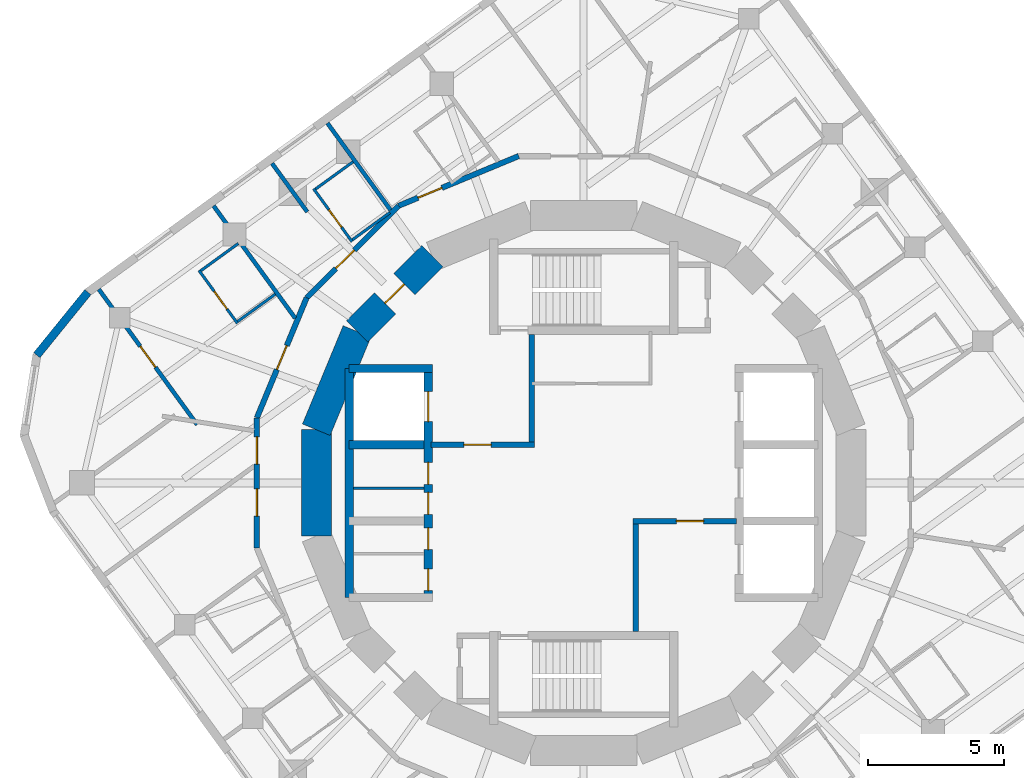
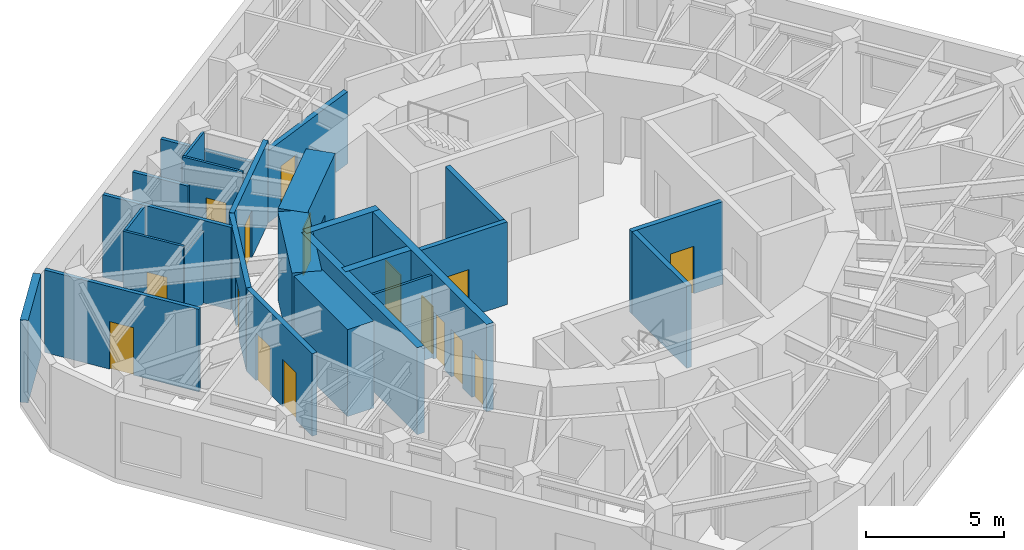
# One storey, part 5 of 9: 27 walls, 16 doors, 16 openings.
"""IFC4 building model written with IfcOpenShell, lengths in metres."""

from ifc_helpers import new_model, si_unit, direction, frame, frame_2d, origin, place, context, subcontext, project, spatial, rectangle, extrude, material, layer, layer_set, type_object, element, fill, save


model = new_model("IFC4")

# Units and contexts
model_context = context("Model", 3, precision=1e-05, world=origin(), true_north=direction((0.0, 1.0)))
body_context = subcontext(model_context, "Body", "Model", "MODEL_VIEW")
ifc_project = project(units=[si_unit("LENGTHUNIT", "METRE"), si_unit("AREAUNIT", "SQUARE_METRE"), si_unit("VOLUMEUNIT", "CUBIC_METRE"), si_unit("PLANEANGLEUNIT", "RADIAN"), si_unit("MASSUNIT", "GRAM", prefix="KILO")], contexts=[model_context])

# Site, building, storey
site_placement = place(None, origin())
site = spatial("IfcSite", under=ifc_project, at=site_placement, CompositionType="ELEMENT")
building_placement = place(site_placement, origin())
building = spatial("IfcBuilding", under=site, at=building_placement, Name="Nakasero Lantern House", CompositionType="ELEMENT")
storey_placement = place(building_placement, frame((0.0, 0.0, 279.14990234375)))
storey = spatial("IfcBuildingStorey", under=building, at=storey_placement, Name="L68", CompositionType="ELEMENT", Elevation=279.14990234375)

# Wall, openings, doors
ifc_material_1 = material(Name="Concrete C50/60", Category="concrete")
ifc_layer_1 = layer(ifc_material_1, 0.300048828125)
ifc_layer_set_1 = layer_set([ifc_layer_1], Name="Core inner wall 300")
wall_type_1 = type_object("IfcWallType", Name="Core inner wall 300", PredefinedType="SHEAR", material=ifc_layer_set_1)
wall_1_placement = place(storey_placement, frame((-5.699951171875, -4.199951171875, 0.0), z_axis=(0.0, 0.0, 1.0), x_axis=(0.0, 1.0, 0.0)))
wall_1 = element("IfcWall", 1, at=wall_1_placement, inside=storey, type_object=wall_type_1, Name="Core inner wall L68 LW", PredefinedType="SHEAR", context=body_context, shape_type="SweptSolid", body=[
    extrude(rectangle(XDim=8.39990234375, YDim=0.300048828125, at=frame_2d((4.199951171875, 0.0))), origin(), (0.0, 0.0, 1.0), 3.85009765625),
])
opening_1_placement = place(wall_1_placement, frame((0.25, 0.0, 0.0)))
opening_1 = element("IfcOpeningElement", 2, at=opening_1_placement, cuts=wall_1, Name="Opening D19", PredefinedType="OPENING", context=body_context, shape_type="SweptSolid", body=[
    extrude(rectangle(XDim=0.800048828125, YDim=2.10009765625, at=frame_2d((0.39990234375, 1.050048828125))), frame((0.0, 0.169921875, 0.0), z_axis=(0.0, -1.0, 0.0), x_axis=(1.0, 0.0, 0.0)), (0.0, 0.0, 1.0), 0.340087890625),
])
opening_2_placement = place(wall_1_placement, frame((1.75, 0.0, 0.0)))
opening_2 = element("IfcOpeningElement", 3, at=opening_2_placement, cuts=wall_1, Name="Opening D15", PredefinedType="OPENING", context=body_context, shape_type="SweptSolid", body=[
    extrude(rectangle(XDim=0.800048828125, YDim=2.10009765625, at=frame_2d((0.39990234375, 1.050048828125))), frame((0.0, 0.169921875, 0.0), z_axis=(0.0, -1.0, 0.0), x_axis=(1.0, 0.0, 0.0)), (0.0, 0.0, 1.0), 0.340087890625),
])
opening_3_placement = place(wall_1_placement, frame((3.050048828125, 0.0, 0.0)))
opening_3 = element("IfcOpeningElement", 4, at=opening_3_placement, cuts=wall_1, Name="Opening D15", PredefinedType="OPENING", context=body_context, shape_type="SweptSolid", body=[
    extrude(rectangle(XDim=0.800048828125, YDim=2.10009765625, at=frame_2d((0.39990234375, 1.050048828125))), frame((0.0, 0.169921875, 0.0), z_axis=(0.0, -1.0, 0.0), x_axis=(1.0, 0.0, 0.0)), (0.0, 0.0, 1.0), 0.340087890625),
])
opening_4_placement = place(wall_1_placement, frame((4.14990234375, 0.0, 0.0)))
opening_4 = element("IfcOpeningElement", 5, at=opening_4_placement, cuts=wall_1, Name="Opening D15", PredefinedType="OPENING", context=body_context, shape_type="SweptSolid", body=[
    extrude(rectangle(XDim=0.800048828125, YDim=2.10009765625, at=frame_2d((0.39990234375, 1.050048828125))), frame((0.0, 0.169921875, 0.0), z_axis=(0.0, -1.0, 0.0), x_axis=(1.0, 0.0, 0.0)), (0.0, 0.0, 1.0), 0.340087890625),
])
opening_5_placement = place(wall_1_placement, frame((6.449951171875, 0.0, 0.0)))
opening_5 = element("IfcOpeningElement", 6, at=opening_5_placement, cuts=wall_1, Name="Opening LD", PredefinedType="OPENING", context=body_context, shape_type="SweptSolid", body=[
    extrude(rectangle(XDim=1.10009765625, YDim=2.10009765625, at=frame_2d((0.550048828125, 1.050048828125))), frame((0.0, 0.169921875, 0.0), z_axis=(0.0, -1.0, 0.0), x_axis=(1.0, 0.0, 0.0)), (0.0, 0.0, 1.0), 0.340087890625),
])
ifc_material_2 = material(Name="Timber C24", Category="wood")
door_type_1 = type_object("IfcDoorType", Name="Cleaner's store door FD30S 800", OperationType="SINGLE_SWING_LEFT", PredefinedType="DOOR", material=ifc_material_2)
door_1_placement = place(opening_2_placement, origin())
door_1 = element("IfcDoor", 7, at=door_1_placement, inside=storey, type_object=door_type_1, Name="Door L68 D-SH-LW1b", OperationType="SINGLE_SWING_LEFT", OverallHeight=2.10009765625, OverallWidth=0.800048828125, PredefinedType="DOOR", context=body_context, shape_type="SweptSolid", body=[
    extrude(rectangle(XDim=0.800048828125, YDim=2.10009765625, at=frame_2d((0.39990234375, 1.050048828125))), frame((0.0, 0.02490234375, 0.0), z_axis=(0.0, -1.0, 0.0), x_axis=(1.0, 0.0, 0.0)), (0.0, 0.0, 1.0), 0.050048828125),
])
fill(opening_2, door_1)
door_2_placement = place(opening_3_placement, origin())
door_2 = element("IfcDoor", 8, at=door_2_placement, inside=storey, type_object=door_type_1, Name="Door L68 D-SH-LW2a", OperationType="SINGLE_SWING_LEFT", OverallHeight=2.10009765625, OverallWidth=0.800048828125, PredefinedType="DOOR", context=body_context, shape_type="SweptSolid", body=[
    extrude(rectangle(XDim=0.800048828125, YDim=2.10009765625, at=frame_2d((0.39990234375, 1.050048828125))), frame((0.0, 0.02490234375, 0.0), z_axis=(0.0, -1.0, 0.0), x_axis=(1.0, 0.0, 0.0)), (0.0, 0.0, 1.0), 0.050048828125),
])
fill(opening_3, door_2)
door_3_placement = place(opening_4_placement, origin())
door_3 = element("IfcDoor", 9, at=door_3_placement, inside=storey, type_object=door_type_1, Name="Door L68 D-SH-LW2b", OperationType="SINGLE_SWING_RIGHT", OverallHeight=2.10009765625, OverallWidth=0.800048828125, PredefinedType="DOOR", context=body_context, shape_type="SweptSolid", body=[
    extrude(rectangle(XDim=0.800048828125, YDim=2.10009765625, at=frame_2d((0.39990234375, 1.050048828125))), frame((0.0, 0.02490234375, 0.0), z_axis=(0.0, -1.0, 0.0), x_axis=(1.0, 0.0, 0.0)), (0.0, 0.0, 1.0), 0.050048828125),
])
fill(opening_4, door_3)
ifc_material_3 = material(Name="Steel S355", Category="steel")
door_type_2 = type_object("IfcDoorType", Name="Lift landing door E120 1100", OperationType="SLIDING_TO_LEFT", PredefinedType="DOOR", material=ifc_material_3)
door_4_placement = place(opening_5_placement, origin())
door_4 = element("IfcDoor", 10, at=door_4_placement, inside=storey, type_object=door_type_2, Name="Lift landing door LW3", OperationType="SLIDING_TO_LEFT", OverallHeight=2.10009765625, OverallWidth=1.10009765625, PredefinedType="DOOR", context=body_context, shape_type="SweptSolid", body=[
    extrude(rectangle(XDim=1.10009765625, YDim=2.10009765625, at=frame_2d((0.550048828125, 1.050048828125))), frame((0.0, 0.02490234375, 0.0), z_axis=(0.0, -1.0, 0.0), x_axis=(1.0, 0.0, 0.0)), (0.0, 0.0, 1.0), 0.050048828125),
])
fill(opening_5, door_4)
ifc_material_4 = material(Name="Steel S355", Category="steel")
door_type_3 = type_object("IfcDoorType", Name="Plant room door FD60 800", OperationType="SINGLE_SWING_LEFT", PredefinedType="DOOR", material=ifc_material_4)
door_5_placement = place(opening_1_placement, origin())
door_5 = element("IfcDoor", 11, at=door_5_placement, inside=storey, type_object=door_type_3, Name="Door L68 D-SH-LW1a", OperationType="SINGLE_SWING_LEFT", OverallHeight=2.10009765625, OverallWidth=0.800048828125, PredefinedType="DOOR", context=body_context, shape_type="SweptSolid", body=[
    extrude(rectangle(XDim=0.800048828125, YDim=2.10009765625, at=frame_2d((0.39990234375, 1.050048828125))), frame((0.0, 0.02490234375, 0.0), z_axis=(0.0, -1.0, 0.0), x_axis=(1.0, 0.0, 0.0)), (0.0, 0.0, 1.0), 0.050048828125),
])
fill(opening_1, door_5)

# Walls
wall_2_placement = place(storey_placement, frame((-8.60009765625, 4.199951171875, 0.0), z_axis=(0.0, 0.0, 1.0), x_axis=(1.0, 0.0, 0.0)))
element("IfcWall", 12, at=wall_2_placement, inside=storey, type_object=wall_type_1, Name="Core inner wall L68 LWN", PredefinedType="SHEAR", context=body_context, shape_type="SweptSolid", body=[
    extrude(rectangle(XDim=3.050048828125, YDim=0.300048828125, at=frame_2d((1.52490234375, 0.0))), origin(), (0.0, 0.0, 1.0), 3.85009765625),
])
wall_3_placement = place(storey_placement, frame((-8.60009765625, -4.199951171875, 0.0), z_axis=(0.0, 0.0, 1.0), x_axis=(0.0, 1.0, 0.0)))
element("IfcWall", 13, at=wall_3_placement, inside=storey, type_object=wall_type_1, Name="Core inner wall L68 LWB", PredefinedType="SHEAR", context=body_context, shape_type="SweptSolid", body=[
    extrude(rectangle(XDim=8.39990234375, YDim=0.300048828125, at=frame_2d((4.199951171875, 0.0))), origin(), (0.0, 0.0, 1.0), 3.85009765625),
])
wall_4_placement = place(storey_placement, frame((-8.60009765625, 1.39990234375, 0.0), z_axis=(0.0, 0.0, 1.0), x_axis=(1.0, 0.0, 0.0)))
element("IfcWall", 14, at=wall_4_placement, inside=storey, type_object=wall_type_1, Name="Core inner wall L68 LW2", PredefinedType="SHEAR", context=body_context, shape_type="SweptSolid", body=[
    extrude(rectangle(XDim=2.75, YDim=0.300048828125, at=frame_2d((1.375, 0.0))), origin(), (0.0, 0.0, 1.0), 3.85009765625),
])
ifc_material_5 = material(Name="Blockwork", Category="masonry")
ifc_layer_2 = layer(ifc_material_5, 0.10009765625)
ifc_layer_set_2 = layer_set([ifc_layer_2], Name="Core room wall 100")
wall_type_2 = type_object("IfcWallType", Name="Core room wall 100", PredefinedType="PARTITIONING", material=ifc_layer_set_2)
wall_5_placement = place(storey_placement, frame((-8.449951171875, -0.199951171875, 0.0), z_axis=(0.0, 0.0, 1.0), x_axis=(1.0, 0.0, 0.0)))
element("IfcWall", 15, at=wall_5_placement, inside=storey, type_object=wall_type_2, Name="Core room wall L68 CR-SH-LW2b", PredefinedType="PARTITIONING", context=body_context, shape_type="SweptSolid", body=[
    extrude(rectangle(XDim=2.599853515625, YDim=0.10009765625, at=frame_2d((1.2998046875, 0.0))), origin(), (0.0, 0.0, 1.0), 3.650146484375),
])

# Wall, opening, door
ifc_material_6 = material(Name="Concrete C50/60", Category="concrete")
ifc_layer_3 = layer(ifc_material_6, 1.10009765625)
ifc_layer_set_3 = layer_set([ifc_layer_3], Name="Core wall 1100")
wall_type_3 = type_object("IfcWallType", Name="Core wall 1100", PredefinedType="SHEAR", material=ifc_layer_set_3)
wall_6_placement = place(storey_placement, frame((-5.5556640625, 8.314697265625, 0.0), z_axis=(0.0, 0.0, 1.0), x_axis=(-0.707106781187, -0.707106781187, 0.0)))
wall_6 = element("IfcWall", 16, at=wall_6_placement, inside=storey, type_object=wall_type_3, Name="Core wall L68 facet 6", PredefinedType="SHEAR", context=body_context, shape_type="SweptSolid", body=[
    extrude(rectangle(XDim=3.90185546875, YDim=1.10009765625, at=frame_2d((1.950927734375, 0.0))), origin(), (0.0, 0.0, 1.0), 3.85009765625),
])
opening_6_placement = place(wall_6_placement, frame((1.450927734375, 0.0, 0.0)))
opening_6 = element("IfcOpeningElement", 17, at=opening_6_placement, cuts=wall_6, Name="Opening D05", PredefinedType="OPENING", context=body_context, shape_type="SweptSolid", body=[
    extrude(rectangle(XDim=1.0, YDim=2.10009765625, at=frame_2d((0.5, 1.050048828125))), frame((0.0, 0.570068359375, 0.0), z_axis=(0.0, -1.0, 0.0), x_axis=(1.0, 0.0, 0.0)), (0.0, 0.0, 1.0), 1.14013671875),
])
ifc_material_7 = material(Name="Timber C24", Category="wood")
door_type_4 = type_object("IfcDoorType", Name="Core door FD60S 1000", OperationType="SINGLE_SWING_LEFT", PredefinedType="DOOR", material=ifc_material_7)
door_6_placement = place(opening_6_placement, origin())
door_6 = element("IfcDoor", 18, at=door_6_placement, inside=storey, type_object=door_type_4, Name="Door L68 D-CORE06", OperationType="SINGLE_SWING_LEFT", OverallHeight=2.10009765625, OverallWidth=1.0, PredefinedType="DOOR", context=body_context, shape_type="SweptSolid", body=[
    extrude(rectangle(XDim=1.0, YDim=2.10009765625, at=frame_2d((0.5, 1.050048828125))), frame((0.0, 0.02490234375, 0.0), z_axis=(0.0, -1.0, 0.0), x_axis=(1.0, 0.0, 0.0)), (0.0, 0.0, 1.0), 0.050048828125),
])
fill(opening_6, door_6)

# Walls
for number, where, z_axis, x_axis, name in (
    (19, (-8.314697265625, 5.5556640625, 0.0), (0.0, 0.0, 1.0), (-0.382690736062, -0.923876507187, 0.0), "Core wall L68 facet 7"),
    (20, (-9.807861328125, 1.950927734375, 0.0), (0.0, 0.0, 1.0), (0.0, -1.0, 0.0), "Core wall L68 facet 8"),
):
    element("IfcWall", number, at=place(storey_placement, frame(where, z_axis=z_axis, x_axis=x_axis)), inside=storey, type_object=wall_type_3, Name=name, PredefinedType="SHEAR", context=body_context, shape_type="SweptSolid", body=[
        extrude(rectangle(XDim=3.90185546875, YDim=1.10009765625, at=frame_2d((1.950927734375, 0.0))), origin(), (0.0, 0.0, 1.0), 3.85009765625),
    ])

# Wall, openings, doors
ifc_material_8 = material(Name="Blockwork", Category="masonry")
ifc_layer_4 = layer(ifc_material_8, 0.199951171875)
ifc_layer_set_4 = layer_set([ifc_layer_4], Name="Corridor wall 200")
wall_type_4 = type_object("IfcWallType", Name="Corridor wall 200", PredefinedType="PARTITIONING", material=ifc_layer_set_4)
wall_7_placement = place(storey_placement, frame((-11.98779296875, -2.384521484375, 0.0), z_axis=(0.0, 0.0, 1.0), x_axis=(0.0, 1.0, 0.0)))
wall_7 = element("IfcWall", 21, at=wall_7_placement, inside=storey, type_object=wall_type_4, Name="Corridor wall L68 RC08a", PredefinedType="PARTITIONING", context=body_context, shape_type="SweptSolid", body=[
    extrude(rectangle(XDim=4.76904296875, YDim=0.199951171875, at=frame_2d((2.384521484375, 0.0))), origin(), (0.0, 0.0, 1.0), 3.650146484375),
])
opening_7_placement = place(wall_7_placement, frame((3.070068359375, 0.0, 0.0)))
opening_7 = element("IfcOpeningElement", 22, at=opening_7_placement, cuts=wall_7, Name="Opening D03", PredefinedType="OPENING", context=body_context, shape_type="SweptSolid", body=[
    extrude(rectangle(XDim=1.0, YDim=2.10009765625, at=frame_2d((0.5, 1.050048828125))), frame((0.0, 0.119873046875, 0.0), z_axis=(0.0, -1.0, 0.0), x_axis=(1.0, 0.0, 0.0)), (0.0, 0.0, 1.0), 0.239990234375),
])
opening_8_placement = place(wall_7_placement, frame((1.169921875, 0.0, 0.0)))
opening_8 = element("IfcOpeningElement", 23, at=opening_8_placement, cuts=wall_7, Name="Opening D03", PredefinedType="OPENING", context=body_context, shape_type="SweptSolid", body=[
    extrude(rectangle(XDim=1.0, YDim=2.10009765625, at=frame_2d((0.5, 1.050048828125))), frame((0.0, 0.119873046875, 0.0), z_axis=(0.0, -1.0, 0.0), x_axis=(1.0, 0.0, 0.0)), (0.0, 0.0, 1.0), 0.239990234375),
])
ifc_material_9 = material(Name="Timber C24", Category="wood")
door_type_5 = type_object("IfcDoorType", Name="Lounge door FD30S 1000", OperationType="SINGLE_SWING_LEFT", PredefinedType="DOOR", material=ifc_material_9)
door_7_placement = place(opening_7_placement, origin())
door_7 = element("IfcDoor", 24, at=door_7_placement, inside=storey, type_object=door_type_5, Name="Door L68 DK2", OperationType="SINGLE_SWING_RIGHT", OverallHeight=2.10009765625, OverallWidth=1.0, PredefinedType="DOOR", context=body_context, shape_type="SweptSolid", body=[
    extrude(rectangle(XDim=1.0, YDim=2.10009765625, at=frame_2d((0.5, 1.050048828125))), frame((0.0, 0.02490234375, 0.0), z_axis=(0.0, -1.0, 0.0), x_axis=(1.0, 0.0, 0.0)), (0.0, 0.0, 1.0), 0.050048828125),
])
fill(opening_7, door_7)
door_8_placement = place(opening_8_placement, origin())
door_8 = element("IfcDoor", 25, at=door_8_placement, inside=storey, type_object=door_type_5, Name="Door L68 DK2-1", OperationType="SINGLE_SWING_LEFT", OverallHeight=2.10009765625, OverallWidth=1.0, PredefinedType="DOOR", context=body_context, shape_type="SweptSolid", body=[
    extrude(rectangle(XDim=1.0, YDim=2.10009765625, at=frame_2d((0.5, 1.050048828125))), frame((0.0, 0.02490234375, 0.0), z_axis=(0.0, -1.0, 0.0), x_axis=(1.0, 0.0, 0.0)), (0.0, 0.0, 1.0), 0.050048828125),
])
fill(opening_8, door_8)

# Wall, opening, door
wall_8_placement = place(storey_placement, frame((-11.98779296875, 2.384521484375, 0.0), z_axis=(0.0, 0.0, 1.0), x_axis=(0.382669792111, 0.923885182372, 0.0)))
wall_8 = element("IfcWall", 26, at=wall_8_placement, inside=storey, type_object=wall_type_4, Name="Corridor wall L68 RC09a", PredefinedType="PARTITIONING", context=body_context, shape_type="SweptSolid", body=[
    extrude(rectangle(XDim=4.76904296875, YDim=0.199951171875, at=frame_2d((2.384521484375, 0.0))), origin(), (0.0, 0.0, 1.0), 3.650146484375),
])
opening_9_placement = place(wall_8_placement, frame((1.919921875, 0.0, 0.0)))
opening_9 = element("IfcOpeningElement", 27, at=opening_9_placement, cuts=wall_8, Name="Opening D01", PredefinedType="OPENING", context=body_context, shape_type="SweptSolid", body=[
    extrude(rectangle(XDim=0.949951171875, YDim=2.10009765625, at=frame_2d((0.47509765625, 1.050048828125))), frame((0.0, 0.119873046875, 0.0), z_axis=(0.0, -1.0, 0.0), x_axis=(1.0, 0.0, 0.0)), (0.0, 0.0, 1.0), 0.239990234375),
])
ifc_material_10 = material(Name="Timber C24", Category="wood")
door_type_6 = type_object("IfcDoorType", Name="Bedroom door FD30S 950", OperationType="SINGLE_SWING_LEFT", PredefinedType="DOOR", material=ifc_material_10)
door_9_placement = place(opening_9_placement, origin())
door_9 = element("IfcDoor", 28, at=door_9_placement, inside=storey, type_object=door_type_6, Name="Door L68 D1-06", OperationType="SINGLE_SWING_RIGHT", OverallHeight=2.10009765625, OverallWidth=0.949951171875, PredefinedType="DOOR", context=body_context, shape_type="SweptSolid", body=[
    extrude(rectangle(XDim=0.949951171875, YDim=2.10009765625, at=frame_2d((0.47509765625, 1.050048828125))), frame((0.0, 0.02490234375, 0.0), z_axis=(0.0, -1.0, 0.0), x_axis=(1.0, 0.0, 0.0)), (0.0, 0.0, 1.0), 0.050048828125),
])
fill(opening_9, door_9)

wall_9_placement = place(storey_placement, frame((-10.162841796875, 6.79052734375, 0.0), z_axis=(0.0, 0.0, 1.0), x_axis=(0.707106781187, 0.707106781187, 0.0)))
wall_9 = element("IfcWall", 29, at=wall_9_placement, inside=storey, type_object=wall_type_4, Name="Corridor wall L68 RC10a", PredefinedType="PARTITIONING", context=body_context, shape_type="SweptSolid", body=[
    extrude(rectangle(XDim=4.769287109375, YDim=0.199951171875, at=frame_2d((2.384765625, 0.0))), origin(), (0.0, 0.0, 1.0), 3.650146484375),
])
opening_10_placement = place(wall_9_placement, frame((1.52001953125, 0.0, 0.0)))
opening_10 = element("IfcOpeningElement", 30, at=opening_10_placement, cuts=wall_9, Name="Opening D01", PredefinedType="OPENING", context=body_context, shape_type="SweptSolid", body=[
    extrude(rectangle(XDim=0.949951171875, YDim=2.10009765625, at=frame_2d((0.47509765625, 1.050048828125))), frame((0.0, 0.119873046875, 0.0), z_axis=(0.0, -1.0, 0.0), x_axis=(1.0, 0.0, 0.0)), (0.0, 0.0, 1.0), 0.239990234375),
])
door_10_placement = place(opening_10_placement, origin())
door_10 = element("IfcDoor", 31, at=door_10_placement, inside=storey, type_object=door_type_6, Name="Door L68 D1-04", OperationType="SINGLE_SWING_LEFT", OverallHeight=2.10009765625, OverallWidth=0.949951171875, PredefinedType="DOOR", context=body_context, shape_type="SweptSolid", body=[
    extrude(rectangle(XDim=0.949951171875, YDim=2.10009765625, at=frame_2d((0.47509765625, 1.050048828125))), frame((0.0, 0.02490234375, 0.0), z_axis=(0.0, -1.0, 0.0), x_axis=(1.0, 0.0, 0.0)), (0.0, 0.0, 1.0), 0.050048828125),
])
fill(opening_10, door_10)

wall_10_placement = place(storey_placement, frame((-6.79052734375, 10.162841796875, 0.0), z_axis=(0.0, 0.0, 1.0), x_axis=(0.923885182372, 0.382669792111, 0.0)))
wall_10 = element("IfcWall", 32, at=wall_10_placement, inside=storey, type_object=wall_type_4, Name="Corridor wall L68 RC11a", PredefinedType="PARTITIONING", context=body_context, shape_type="SweptSolid", body=[
    extrude(rectangle(XDim=4.76904296875, YDim=0.199951171875, at=frame_2d((2.384521484375, 0.0))), origin(), (0.0, 0.0, 1.0), 3.190185546875),
])
opening_11_placement = place(wall_10_placement, frame((0.77001953125, 0.0, 0.0)))
opening_11 = element("IfcOpeningElement", 33, at=opening_11_placement, cuts=wall_10, Name="Opening D01", PredefinedType="OPENING", context=body_context, shape_type="SweptSolid", body=[
    extrude(rectangle(XDim=0.949951171875, YDim=2.10009765625, at=frame_2d((0.47509765625, 1.050048828125))), frame((0.0, 0.119873046875, 0.0), z_axis=(0.0, -1.0, 0.0), x_axis=(1.0, 0.0, 0.0)), (0.0, 0.0, 1.0), 0.239990234375),
])
door_11_placement = place(opening_11_placement, origin())
door_11 = element("IfcDoor", 34, at=door_11_placement, inside=storey, type_object=door_type_6, Name="Door L68 D1-03", OperationType="SINGLE_SWING_LEFT", OverallHeight=2.10009765625, OverallWidth=0.949951171875, PredefinedType="DOOR", context=body_context, shape_type="SweptSolid", body=[
    extrude(rectangle(XDim=0.949951171875, YDim=2.10009765625, at=frame_2d((0.47509765625, 1.050048828125))), frame((0.0, 0.02490234375, 0.0), z_axis=(0.0, -1.0, 0.0), x_axis=(1.0, 0.0, 0.0)), (0.0, 0.0, 1.0), 0.050048828125),
])
fill(opening_11, door_11)

ifc_material_11 = material(Name="Blockwork", Category="masonry")
ifc_layer_5 = layer(ifc_material_11, 0.10009765625)
ifc_layer_set_5 = layer_set([ifc_layer_5], Name="En-suite wall 100")
wall_type_5 = type_object("IfcWallType", Name="En-suite wall 100", PredefinedType="PARTITIONING", material=ifc_layer_set_5)
wall_11_placement = place(storey_placement, frame((-8.495849609375, 8.846435546875, 0.0), z_axis=(0.0, 0.0, 1.0), x_axis=(-0.587772420479, 0.809026317077, 0.0)))
wall_11 = element("IfcWall", 35, at=wall_11_placement, inside=storey, type_object=wall_type_5, Name="En-suite wall L68 ES1-04", PredefinedType="PARTITIONING", context=body_context, shape_type="SweptSolid", body=[
    extrude(rectangle(XDim=2.39990234375, YDim=0.10009765625, at=frame_2d((1.199951171875, 0.0))), origin(), (0.0, 0.0, 1.0), 3.650146484375),
])
opening_12_placement = place(wall_11_placement, frame((0.64990234375, 0.0, 0.0)))
opening_12 = element("IfcOpeningElement", 36, at=opening_12_placement, cuts=wall_11, Name="Opening D02", PredefinedType="OPENING", context=body_context, shape_type="SweptSolid", body=[
    extrude(rectangle(XDim=0.800048828125, YDim=2.10009765625, at=frame_2d((0.39990234375, 1.050048828125))), frame((0.0, 0.070068359375, 0.0), z_axis=(0.0, -1.0, 0.0), x_axis=(1.0, 0.0, 0.0)), (0.0, 0.0, 1.0), 0.14013671875),
])
ifc_material_12 = material(Name="Timber C24", Category="wood")
door_type_7 = type_object("IfcDoorType", Name="En-suite door 800", OperationType="SINGLE_SWING_RIGHT", PredefinedType="DOOR", material=ifc_material_12)
door_12_placement = place(opening_12_placement, origin())
door_12 = element("IfcDoor", 37, at=door_12_placement, inside=storey, type_object=door_type_7, Name="Door L68 DE1-04", OperationType="SINGLE_SWING_LEFT", OverallHeight=2.10009765625, OverallWidth=0.800048828125, PredefinedType="DOOR", context=body_context, shape_type="SweptSolid", body=[
    extrude(rectangle(XDim=0.800048828125, YDim=2.10009765625, at=frame_2d((0.39990234375, 1.050048828125))), frame((0.0, 0.02490234375, 0.0), z_axis=(0.0, -1.0, 0.0), x_axis=(1.0, 0.0, 0.0)), (0.0, 0.0, 1.0), 0.050048828125),
])
fill(opening_12, door_12)

# Walls
wall_12_placement = place(storey_placement, frame((-8.461181640625, 11.7763671875, 0.0), z_axis=(0.0, 0.0, 1.0), x_axis=(-0.809040252033, -0.58775323954, 0.0)))
element("IfcWall", 38, at=wall_12_placement, inside=storey, type_object=wall_type_5, Name="En-suite wall L68 EE1-04", PredefinedType="PARTITIONING", context=body_context, shape_type="SweptSolid", body=[
    extrude(rectangle(XDim=1.7001953125, YDim=0.10009765625, at=frame_2d((0.85009765625, 0.0))), origin(), (0.0, 0.0, 1.0), 3.650146484375),
])
wall_13_placement = place(storey_placement, frame((-7.109375, 9.91552734375, 0.0), z_axis=(0.0, 0.0, 1.0), x_axis=(-0.808990636343, -0.587821529301, 0.0)))
element("IfcWall", 39, at=wall_13_placement, inside=storey, type_object=wall_type_5, Name="En-suite wall L68 EI1-04", PredefinedType="PARTITIONING", context=body_context, shape_type="SweptSolid", body=[
    extrude(rectangle(XDim=1.699951171875, YDim=0.10009765625, at=frame_2d((0.85009765625, 0.0))), origin(), (0.0, 0.0, 1.0), 3.190185546875),
])

# Wall, opening, door
wall_14_placement = place(storey_placement, frame((-12.7001953125, 5.852783203125, 0.0), z_axis=(0.0, 0.0, 1.0), x_axis=(-0.587772420479, 0.809026317077, 0.0)))
wall_14 = element("IfcWall", 40, at=wall_14_placement, inside=storey, type_object=wall_type_5, Name="En-suite wall L68 ES1-06", PredefinedType="PARTITIONING", context=body_context, shape_type="SweptSolid", body=[
    extrude(rectangle(XDim=2.39990234375, YDim=0.10009765625, at=frame_2d((1.199951171875, 0.0))), origin(), (0.0, 0.0, 1.0), 3.650146484375),
])
opening_13_placement = place(wall_14_placement, frame((0.64990234375, 0.0, 0.0)))
opening_13 = element("IfcOpeningElement", 41, at=opening_13_placement, cuts=wall_14, Name="Opening D02", PredefinedType="OPENING", context=body_context, shape_type="SweptSolid", body=[
    extrude(rectangle(XDim=0.800048828125, YDim=2.10009765625, at=frame_2d((0.39990234375, 1.050048828125))), frame((0.0, 0.070068359375, 0.0), z_axis=(0.0, -1.0, 0.0), x_axis=(1.0, 0.0, 0.0)), (0.0, 0.0, 1.0), 0.14013671875),
])
door_13_placement = place(opening_13_placement, origin())
door_13 = element("IfcDoor", 42, at=door_13_placement, inside=storey, type_object=door_type_7, Name="Door L68 DE1-06", OperationType="SINGLE_SWING_LEFT", OverallHeight=2.10009765625, OverallWidth=0.800048828125, PredefinedType="DOOR", context=body_context, shape_type="SweptSolid", body=[
    extrude(rectangle(XDim=0.800048828125, YDim=2.10009765625, at=frame_2d((0.39990234375, 1.050048828125))), frame((0.0, 0.02490234375, 0.0), z_axis=(0.0, -1.0, 0.0), x_axis=(1.0, 0.0, 0.0)), (0.0, 0.0, 1.0), 0.050048828125),
])
fill(opening_13, door_13)

# Walls
wall_15_placement = place(storey_placement, frame((-12.665771484375, 8.78271484375, 0.0), z_axis=(0.0, 0.0, 1.0), x_axis=(-0.808990636343, -0.587821529301, 0.0)))
element("IfcWall", 43, at=wall_15_placement, inside=storey, type_object=wall_type_5, Name="En-suite wall L68 EE1-06", PredefinedType="PARTITIONING", context=body_context, shape_type="SweptSolid", body=[
    extrude(rectangle(XDim=1.699951171875, YDim=0.10009765625, at=frame_2d((0.85009765625, 0.0))), origin(), (0.0, 0.0, 1.0), 3.650146484375),
])
wall_16_placement = place(storey_placement, frame((-11.313720703125, 6.921875, 0.0), z_axis=(0.0, 0.0, 1.0), x_axis=(-0.809040252033, -0.58775323954, 0.0)))
element("IfcWall", 44, at=wall_16_placement, inside=storey, type_object=wall_type_5, Name="En-suite wall L68 EI1-06", PredefinedType="PARTITIONING", context=body_context, shape_type="SweptSolid", body=[
    extrude(rectangle(XDim=1.7001953125, YDim=0.10009765625, at=frame_2d((0.85009765625, 0.0))), origin(), (0.0, 0.0, 1.0), 3.190185546875),
])
ifc_material_13 = material(Name="Aluminium rainscreen on blockwork", Category="masonry")
ifc_layer_6 = layer(ifc_material_13, 0.300048828125)
ifc_layer_set_6 = layer_set([ifc_layer_6], Name="Facade wall 300")
wall_type_6 = type_object("IfcWallType", Name="Facade wall 300", PredefinedType="SOLIDWALL", material=ifc_layer_set_6)
wall_17_placement = place(storey_placement, frame((-18.185791015625, 6.996826171875, 0.0), z_axis=(0.0, 0.0, 1.0), x_axis=(-0.629375183362, -0.777101588319, 0.0)))
element("IfcWall", 45, at=wall_17_placement, inside=storey, type_object=wall_type_6, Name="Facade wall L68 FW1C1", PredefinedType="SOLIDWALL", context=body_context, shape_type="SweptSolid", body=[
    extrude(rectangle(XDim=2.976318359375, YDim=0.300048828125, at=frame_2d((1.48828125, 0.0))), origin(), (0.0, 0.0, 1.0), 3.650146484375),
])

# Wall, opening, door
ifc_material_14 = material(Name="Blockwork", Category="masonry")
ifc_layer_7 = layer(ifc_material_14, 0.199951171875)
ifc_layer_set_7 = layer_set([ifc_layer_7], Name="Fire lobby wall 200")
wall_type_7 = type_object("IfcWallType", Name="Fire lobby wall 200", PredefinedType="PARTITIONING", material=ifc_layer_set_7)
wall_18_placement = place(storey_placement, frame((-5.60009765625, 1.39990234375, 0.0), z_axis=(0.0, 0.0, 1.0), x_axis=(1.0, 0.0, 0.0)))
wall_18 = element("IfcWall", 46, at=wall_18_placement, inside=storey, type_object=wall_type_7, Name="Fire lobby wall L68 W-FL1S", PredefinedType="PARTITIONING", context=body_context, shape_type="SweptSolid", body=[
    extrude(rectangle(XDim=3.800048828125, YDim=0.199951171875, at=frame_2d((1.89990234375, 0.0))), origin(), (0.0, 0.0, 1.0), 3.650146484375),
])
opening_14_placement = place(wall_18_placement, frame((1.199951171875, 0.0, 0.0)))
opening_14 = element("IfcOpeningElement", 47, at=opening_14_placement, cuts=wall_18, Name="Opening D05", PredefinedType="OPENING", context=body_context, shape_type="SweptSolid", body=[
    extrude(rectangle(XDim=1.0, YDim=2.10009765625, at=frame_2d((0.5, 1.050048828125))), frame((0.0, 0.119873046875, 0.0), z_axis=(0.0, -1.0, 0.0), x_axis=(1.0, 0.0, 0.0)), (0.0, 0.0, 1.0), 0.239990234375),
])
door_14_placement = place(opening_14_placement, origin())
door_14 = element("IfcDoor", 48, at=door_14_placement, inside=storey, type_object=door_type_4, Name="Door L68 D-FL1", OperationType="SINGLE_SWING_LEFT", OverallHeight=2.10009765625, OverallWidth=1.0, PredefinedType="DOOR", context=body_context, shape_type="SweptSolid", body=[
    extrude(rectangle(XDim=1.0, YDim=2.10009765625, at=frame_2d((0.5, 1.050048828125))), frame((0.0, 0.02490234375, 0.0), z_axis=(0.0, -1.0, 0.0), x_axis=(1.0, 0.0, 0.0)), (0.0, 0.0, 1.0), 0.050048828125),
])
fill(opening_14, door_14)

# Wall
wall_19_placement = place(storey_placement, frame((-1.89990234375, 1.5, 0.0), z_axis=(0.0, 0.0, 1.0), x_axis=(0.0, 1.0, 0.0)))
element("IfcWall", 49, at=wall_19_placement, inside=storey, type_object=wall_type_7, Name="Fire lobby wall L68 W-FL1E", PredefinedType="PARTITIONING", context=body_context, shape_type="SweptSolid", body=[
    extrude(rectangle(XDim=3.949951171875, YDim=0.199951171875, at=frame_2d((1.97509765625, 0.0))), origin(), (0.0, 0.0, 1.0), 3.650146484375),
])

# Wall, opening, door
wall_20_placement = place(storey_placement, frame((5.60009765625, -1.39990234375, 0.0), z_axis=(0.0, 0.0, 1.0), x_axis=(-1.0, 0.0, 0.0)))
wall_20 = element("IfcWall", 50, at=wall_20_placement, inside=storey, type_object=wall_type_7, Name="Fire lobby wall L68 W-FL2N", PredefinedType="PARTITIONING", context=body_context, shape_type="SweptSolid", body=[
    extrude(rectangle(XDim=3.800048828125, YDim=0.199951171875, at=frame_2d((1.89990234375, 0.0))), origin(), (0.0, 0.0, 1.0), 3.650146484375),
])
opening_15_placement = place(wall_20_placement, frame((1.199951171875, 0.0, 0.0)))
opening_15 = element("IfcOpeningElement", 51, at=opening_15_placement, cuts=wall_20, Name="Opening D05", PredefinedType="OPENING", context=body_context, shape_type="SweptSolid", body=[
    extrude(rectangle(XDim=1.0, YDim=2.10009765625, at=frame_2d((0.5, 1.050048828125))), frame((0.0, 0.119873046875, 0.0), z_axis=(0.0, -1.0, 0.0), x_axis=(1.0, 0.0, 0.0)), (0.0, 0.0, 1.0), 0.239990234375),
])
door_15_placement = place(opening_15_placement, origin())
door_15 = element("IfcDoor", 52, at=door_15_placement, inside=storey, type_object=door_type_4, Name="Door L68 D-FL2", OperationType="SINGLE_SWING_LEFT", OverallHeight=2.10009765625, OverallWidth=1.0, PredefinedType="DOOR", context=body_context, shape_type="SweptSolid", body=[
    extrude(rectangle(XDim=1.0, YDim=2.10009765625, at=frame_2d((0.5, 1.050048828125))), frame((0.0, 0.02490234375, 0.0), z_axis=(0.0, -1.0, 0.0), x_axis=(1.0, 0.0, 0.0)), (0.0, 0.0, 1.0), 0.050048828125),
])
fill(opening_15, door_15)

# Walls
wall_21_placement = place(storey_placement, frame((1.89990234375, -1.5, 0.0), z_axis=(0.0, 0.0, 1.0), x_axis=(0.0, -1.0, 0.0)))
element("IfcWall", 53, at=wall_21_placement, inside=storey, type_object=wall_type_7, Name="Fire lobby wall L68 W-FL2W", PredefinedType="PARTITIONING", context=body_context, shape_type="SweptSolid", body=[
    extrude(rectangle(XDim=3.949951171875, YDim=0.199951171875, at=frame_2d((1.97509765625, 0.0))), origin(), (0.0, 0.0, 1.0), 3.650146484375),
])
ifc_material_15 = material(Name="Blockwork", Category="masonry")
ifc_layer_8 = layer(ifc_material_15, 0.14990234375)
ifc_layer_set_8 = layer_set([ifc_layer_8], Name="Party wall 150")
wall_type_8 = type_object("IfcWallType", Name="Party wall 150", PredefinedType="PARTITIONING", material=ifc_layer_set_8)
wall_22_placement = place(storey_placement, frame((-10.13818359375, 9.939208984375, 0.0), z_axis=(0.0, 0.0, 1.0), x_axis=(-0.587821928992, 0.808990345923, 0.0)))
element("IfcWall", 54, at=wall_22_placement, inside=storey, type_object=wall_type_8, Name="Party wall L68 PN1-05", PredefinedType="PARTITIONING", context=body_context, shape_type="SweptSolid", body=[
    extrude(rectangle(XDim=2.199951171875, YDim=0.14990234375, at=frame_2d((1.10009765625, 0.0))), origin(), (0.0, 0.0, 1.0), 2.957275390625),
])
wall_23_placement = place(storey_placement, frame((-7.085205078125, 10.009765625, 0.0), z_axis=(0.0, 0.0, 1.0), x_axis=(-0.587777120537, 0.809022902379, 0.0)))
element("IfcWall", 55, at=wall_23_placement, inside=storey, type_object=wall_type_8, Name="Party wall L68 PW1-04", PredefinedType="PARTITIONING", context=body_context, shape_type="SweptSolid", body=[
    extrude(rectangle(XDim=3.937255859375, YDim=0.14990234375, at=frame_2d((1.96875, 0.0))), origin(), (0.0, 0.0, 1.0), 2.809326171875),
])
wall_24_placement = place(storey_placement, frame((-10.581298828125, 6.04150390625, 0.0), z_axis=(0.0, 0.0, 1.0), x_axis=(-0.587812495358, 0.808997200429, 0.0)))
element("IfcWall", 56, at=wall_24_placement, inside=storey, type_object=wall_type_8, Name="Party wall L68 PW1-06", PredefinedType="PARTITIONING", context=body_context, shape_type="SweptSolid", body=[
    extrude(rectangle(XDim=5.0927734375, YDim=0.14990234375, at=frame_2d((2.54638671875, 0.0))), origin(), (0.0, 0.0, 1.0), 3.650146484375),
])

# Wall, opening, door
wall_25_placement = place(storey_placement, frame((-14.1767578125, 2.137939453125, 0.0), z_axis=(0.0, 0.0, 1.0), x_axis=(-0.587774266883, 0.809024975628, 0.0)))
wall_25 = element("IfcWall", 57, at=wall_25_placement, inside=storey, type_object=wall_type_8, Name="Party wall L68 PW1-07", PredefinedType="PARTITIONING", context=body_context, shape_type="SweptSolid", body=[
    extrude(rectangle(XDim=6.137451171875, YDim=0.14990234375, at=frame_2d((3.06884765625, 0.0))), origin(), (0.0, 0.0, 1.0), 3.650146484375),
])
opening_16_placement = place(wall_25_placement, frame((2.60009765625, 0.0, 0.0)))
opening_16 = element("IfcOpeningElement", 58, at=opening_16_placement, cuts=wall_25, Name="Opening D01", PredefinedType="OPENING", context=body_context, shape_type="SweptSolid", body=[
    extrude(rectangle(XDim=0.949951171875, YDim=2.10009765625, at=frame_2d((0.47509765625, 1.050048828125))), frame((0.0, 0.094970703125, 0.0), z_axis=(0.0, -1.0, 0.0), x_axis=(1.0, 0.0, 0.0)), (0.0, 0.0, 1.0), 0.18994140625),
])
door_16_placement = place(opening_16_placement, origin())
door_16 = element("IfcDoor", 59, at=door_16_placement, inside=storey, type_object=door_type_6, Name="Door L68 DC1", OperationType="SINGLE_SWING_RIGHT", OverallHeight=2.10009765625, OverallWidth=0.949951171875, PredefinedType="DOOR", context=body_context, shape_type="SweptSolid", body=[
    extrude(rectangle(XDim=0.949951171875, YDim=2.10009765625, at=frame_2d((0.47509765625, 1.050048828125))), frame((0.0, 0.02490234375, 0.0), z_axis=(0.0, -1.0, 0.0), x_axis=(1.0, 0.0, 0.0)), (0.0, 0.0, 1.0), 0.050048828125),
])
fill(opening_16, door_16)

save(model, "model.ifc")
